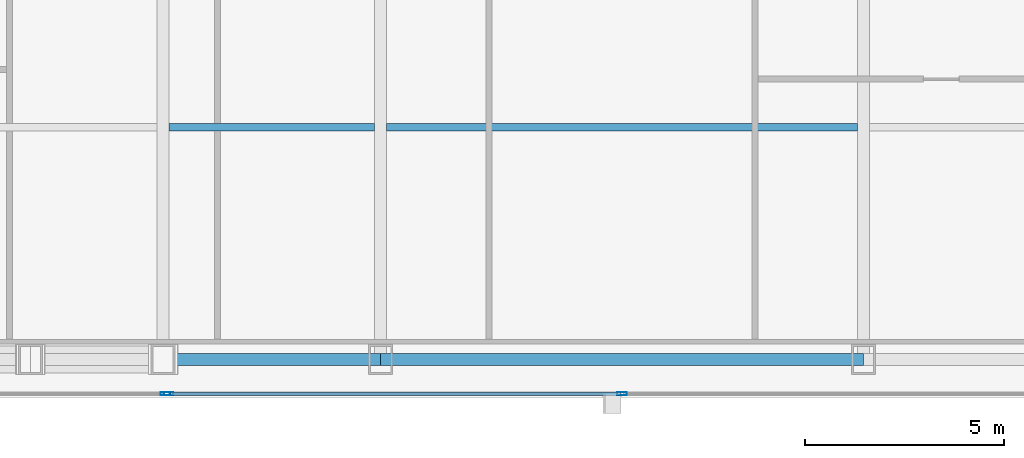
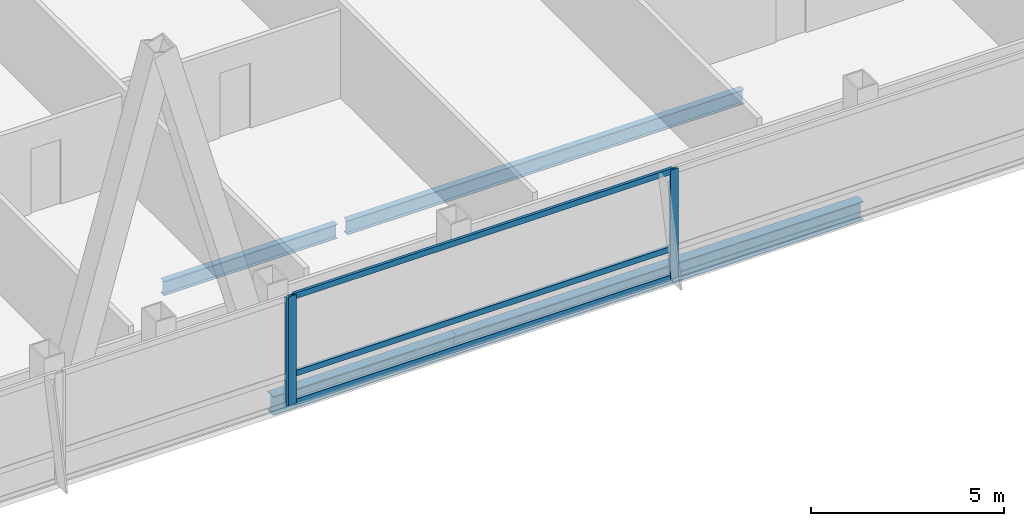
# One storey, part 8 of 31: 6 members, 4 beams, 2 elements without a shape of their own.
"""IFC4 building model written with IfcOpenShell, lengths in metres."""

from ifc_helpers import new_model, si_unit, direction, frame, origin, origin_2d, place, context, subcontext, project, spatial, hollow_rectangle, i_section, extrude, material, material_profile, profile_set, type_object, element, aggregate, save


model = new_model("IFC4")

# Units and contexts
model_context = context("Model", 3, precision=1e-05, world=origin(), true_north=direction((0.0, 1.0)))
body_context = subcontext(model_context, "Body", "Model", "MODEL_VIEW")
ifc_project = project(units=[si_unit("LENGTHUNIT", "METRE"), si_unit("AREAUNIT", "SQUARE_METRE"), si_unit("VOLUMEUNIT", "CUBIC_METRE"), si_unit("PLANEANGLEUNIT", "RADIAN"), si_unit("MASSUNIT", "GRAM", prefix="KILO")], contexts=[model_context])

# Site, building, storey
site_placement = place(None, origin())
site = spatial("IfcSite", under=ifc_project, at=site_placement, CompositionType="ELEMENT")
building_placement = place(site_placement, origin())
building = spatial("IfcBuilding", under=site, at=building_placement, Name="Khoronbel Lancet Exchange", CompositionType="ELEMENT")
storey_placement = place(building_placement, frame((0.0, 0.0, 249.800048828125)))
storey = spatial("IfcBuildingStorey", under=building, at=storey_placement, Name="L64", CompositionType="ELEMENT", Elevation=249.800048828125)

# Beams
ifc_material_1 = material(Name="Steel S355", Category="steel")
ifc_material_profile_1 = material_profile(ifc_material_1, i_section(OverallWidth=0.18994140625, OverallDepth=0.449951171875, WebThickness=0.009521484375, FlangeThickness=0.0146484375, at=origin_2d()), Name="IPE 450")
ifc_profile_set_1 = profile_set([ifc_material_profile_1], Name="Steel S355")
beam_type_1 = type_object("IfcBeamType", Name="BM-BJ4", PredefinedType="JOIST", material=ifc_profile_set_1)
beam_1_placement = place(storey_placement, frame((25.050048828125, 16.0, -0.385009765625), z_axis=(1.0, 0.0, 0.0), x_axis=(0.0, 1.0, 0.0)))
element("IfcBeam", 1, at=beam_1_placement, inside=storey, type_object=beam_type_1, Name="Level L64 secondary composite joist J02", PredefinedType="JOIST", context=body_context, shape_type="SweptSolid", body=[
    extrude(i_section(OverallWidth=0.18994140625, OverallDepth=0.449951171875, WebThickness=0.009521484375, FlangeThickness=0.0146484375, at=origin_2d()), origin(), (0.0, 0.0, 1.0), 5.175048828125),
])
beam_2_placement = place(storey_placement, frame((30.52490234375, 16.0, -0.385009765625), z_axis=(1.0, 0.0, 0.0), x_axis=(0.0, 1.0, 0.0)))
element("IfcBeam", 2, at=beam_2_placement, inside=storey, type_object=beam_type_1, Name="Level L64 secondary composite joist J03", PredefinedType="JOIST", context=body_context, shape_type="SweptSolid", body=[
    extrude(i_section(OverallWidth=0.18994140625, OverallDepth=0.449951171875, WebThickness=0.009521484375, FlangeThickness=0.0146484375, at=origin_2d()), origin(), (0.0, 0.0, 1.0), 11.85009765625),
])
ifc_material_profile_2 = material_profile(ifc_material_1, i_section(OverallWidth=0.300048828125, OverallDepth=0.60009765625, WebThickness=0.015380859375, FlangeThickness=0.030029296875, at=origin_2d()), Name="HEB 600")
ifc_profile_set_2 = profile_set([ifc_material_profile_2], Name="Steel S355")
beam_type_2 = type_object("IfcBeamType", Name="BM-BSP2", PredefinedType="SPANDREL", material=ifc_profile_set_2)
beam_3_placement = place(storey_placement, frame((24.89990234375, 10.14990234375, -0.4599609375), z_axis=(1.0, 0.0, 0.0), x_axis=(0.0, 1.0, 0.0)))
element("IfcBeam", 3, at=beam_3_placement, inside=storey, type_object=beam_type_2, Name="Level L64 perimeter spandrel beam SP04", PredefinedType="SPANDREL", context=body_context, shape_type="SweptSolid", body=[
    extrude(i_section(OverallWidth=0.300048828125, OverallDepth=0.60009765625, WebThickness=0.015380859375, FlangeThickness=0.030029296875, at=origin_2d()), origin(), (0.0, 0.0, 1.0), 5.47509765625),
])
beam_4_placement = place(storey_placement, frame((30.375, 10.14990234375, -0.4599609375), z_axis=(1.0, 0.0, 0.0), x_axis=(0.0, 1.0, 0.0)))
element("IfcBeam", 4, at=beam_4_placement, inside=storey, type_object=beam_type_2, Name="Level L64 perimeter spandrel beam SP05", PredefinedType="SPANDREL", context=body_context, shape_type="SweptSolid", body=[
    extrude(i_section(OverallWidth=0.300048828125, OverallDepth=0.60009765625, WebThickness=0.015380859375, FlangeThickness=0.030029296875, at=origin_2d()), origin(), (0.0, 0.0, 1.0), 12.14990234375),
])

# Curtain wall, member
ifc_material_2 = material(Name="Low-E Solar Control Insulating Glass", Category="glass")
curtain_wall_type = type_object("IfcCurtainWallType", Name="CW-3", PredefinedType="NOTDEFINED", material=ifc_material_2)
curtain_wall_1_placement = place(storey_placement, origin())
curtain_wall_1 = element("IfcCurtainWall", 5, at=curtain_wall_1_placement, inside=storey, type_object=curtain_wall_type, Name="Unitised curtain wall CW-L64-SWB", PredefinedType="NOTDEFINED")
ifc_material_3 = material(Name="Bronze-Anodised Aluminium 6063-T6", Category="aluminium")
ifc_material_profile_3 = material_profile(ifc_material_3, hollow_rectangle(XDim=0.0849609375, YDim=0.239990234375, WallThickness=0.006103515625, at=origin_2d()), Name="ALU MULLION 85x240")
ifc_profile_set_3 = profile_set([ifc_material_profile_3], Name="Bronze-Anodised Aluminium 6063-T6")
member_type_1 = type_object("IfcMemberType", Name="MEM-CWM1", PredefinedType="MULLION", material=ifc_profile_set_3)
member_1_placement = place(storey_placement, frame((24.95751953125, 9.2900390625, 0.0), z_axis=(0.0, 0.0, 1.0), x_axis=(0.0, 1.0, 0.0)))
member_1 = element("IfcMember", 6, at=member_1_placement, type_object=member_type_1, Name="CW3 mullion 2", PredefinedType="MULLION", context=body_context, shape_type="SweptSolid", body=[
    extrude(hollow_rectangle(XDim=0.0849609375, YDim=0.239990234375, WallThickness=0.006103515625, at=origin_2d()), origin(), (0.0, 0.0, 1.0), 3.43994140625),
])
aggregate(curtain_wall_1, [member_1])

# Curtain wall, members
curtain_wall_2_placement = place(storey_placement, origin())
curtain_wall_2 = element("IfcCurtainWall", 7, at=curtain_wall_2_placement, inside=storey, type_object=curtain_wall_type, Name="Unitised curtain wall CW-L64-SCV", PredefinedType="NOTDEFINED")
member_2_placement = place(storey_placement, frame((25.04248046875, 9.2900390625, 0.0), z_axis=(0.0, 0.0, 1.0), x_axis=(0.0, 1.0, 0.0)))
member_2 = element("IfcMember", 8, at=member_2_placement, type_object=member_type_1, Name="CW3 mullion 1", PredefinedType="MULLION", context=body_context, shape_type="SweptSolid", body=[
    extrude(hollow_rectangle(XDim=0.0849609375, YDim=0.239990234375, WallThickness=0.006103515625, at=origin_2d()), origin(), (0.0, 0.0, 1.0), 3.43994140625),
])
member_3_placement = place(storey_placement, frame((36.449951171875, 9.2900390625, 0.0), z_axis=(0.0, 0.0, 1.0), x_axis=(0.0, 1.0, 0.0)))
member_3 = element("IfcMember", 9, at=member_3_placement, type_object=member_type_1, Name="CW3 mullion 2", PredefinedType="MULLION", context=body_context, shape_type="SweptSolid", body=[
    extrude(hollow_rectangle(XDim=0.0849609375, YDim=0.239990234375, WallThickness=0.006103515625, at=origin_2d()), origin(), (0.0, 0.0, 1.0), 3.43994140625),
])
ifc_material_profile_4 = material_profile(ifc_material_3, hollow_rectangle(XDim=0.0849609375, YDim=0.179931640625, WallThickness=0.0048828125, at=origin_2d()), Name="ALU TRANSOM 85x180")
ifc_profile_set_4 = profile_set([ifc_material_profile_4], Name="Bronze-Anodised Aluminium 6063-T6")
member_type_2 = type_object("IfcMemberType", Name="MEM-CWT1", PredefinedType="USERDEFINED", material=ifc_profile_set_4)
member_4_placement = place(storey_placement, frame((25.0849609375, 9.2900390625, 0.04248046875), z_axis=(1.0, 0.0, 0.0), x_axis=(0.0, 1.0, 0.0)))
member_4 = element("IfcMember", 10, at=member_4_placement, type_object=member_type_2, Name="CW3 transom 1.1", ObjectType="TRANSOM", PredefinedType="USERDEFINED", context=body_context, shape_type="SweptSolid", body=[
    extrude(hollow_rectangle(XDim=0.0849609375, YDim=0.179931640625, WallThickness=0.0048828125, at=origin_2d()), origin(), (0.0, 0.0, 1.0), 11.322509765625),
])
member_5_placement = place(storey_placement, frame((25.0849609375, 9.2900390625, 0.949951171875), z_axis=(1.0, 0.0, 0.0), x_axis=(0.0, 1.0, 0.0)))
member_5 = element("IfcMember", 11, at=member_5_placement, type_object=member_type_2, Name="CW3 transom 1.2", ObjectType="TRANSOM", PredefinedType="USERDEFINED", context=body_context, shape_type="SweptSolid", body=[
    extrude(hollow_rectangle(XDim=0.0849609375, YDim=0.179931640625, WallThickness=0.0048828125, at=origin_2d()), origin(), (0.0, 0.0, 1.0), 11.322509765625),
])
member_6_placement = place(storey_placement, frame((25.0849609375, 9.2900390625, 3.3974609375), z_axis=(1.0, 0.0, 0.0), x_axis=(0.0, 1.0, 0.0)))
member_6 = element("IfcMember", 12, at=member_6_placement, type_object=member_type_2, Name="CW3 transom 1.3", ObjectType="TRANSOM", PredefinedType="USERDEFINED", context=body_context, shape_type="SweptSolid", body=[
    extrude(hollow_rectangle(XDim=0.0849609375, YDim=0.179931640625, WallThickness=0.0048828125, at=origin_2d()), origin(), (0.0, 0.0, 1.0), 11.322509765625),
])
aggregate(curtain_wall_2, [member_2, member_3, member_4, member_5, member_6])

save(model, "model.ifc")
